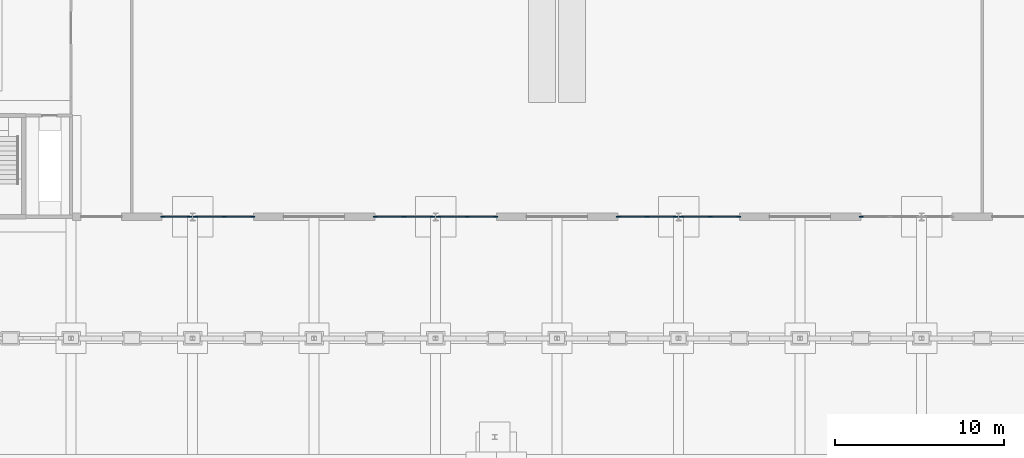
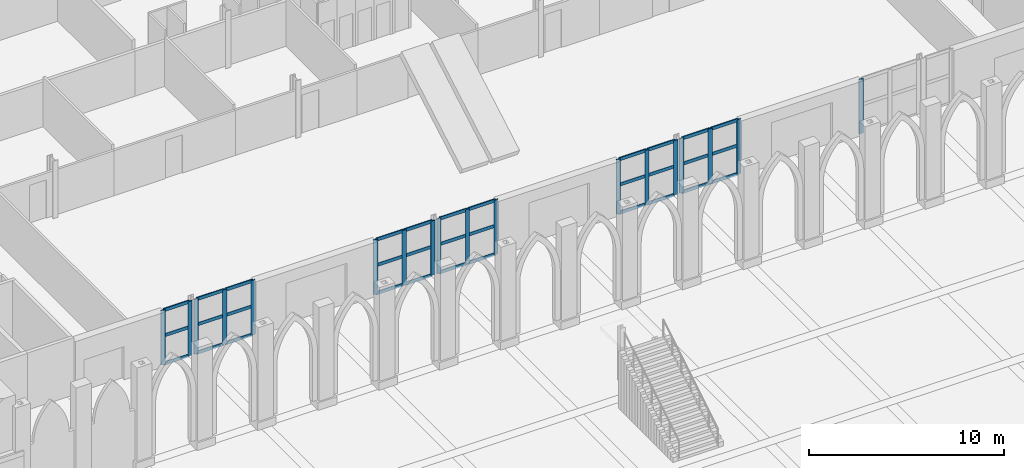
# One storey, part 70 of 148: 51 members, 7 elements without a shape of their own.
"""IFC4 building model written with IfcOpenShell, lengths in metres."""

from ifc_helpers import new_model, si_unit, direction, frame, origin, origin_2d, place, context, subcontext, project, spatial, rectangle, extrude, material, material_profile, profile_set, type_object, element, aggregate, save


model = new_model("IFC4")

# Units and contexts
model_context = context("Model", 3, precision=1e-05, world=origin(), true_north=direction((0.0, 1.0)))
body_context = subcontext(model_context, "Body", "Model", "MODEL_VIEW")
ifc_project = project(units=[si_unit("LENGTHUNIT", "METRE"), si_unit("AREAUNIT", "SQUARE_METRE"), si_unit("VOLUMEUNIT", "CUBIC_METRE"), si_unit("PLANEANGLEUNIT", "RADIAN"), si_unit("MASSUNIT", "GRAM", prefix="KILO")], contexts=[model_context])

# Site, building, storey
site_placement = place(None, origin())
site = spatial("IfcSite", under=ifc_project, at=site_placement, CompositionType="ELEMENT")
building_placement = place(site_placement, origin())
building = spatial("IfcBuilding", under=site, at=building_placement, Name="Kupolbacken Congress Centre", CompositionType="ELEMENT")
storey_placement = place(building_placement, origin())
storey = spatial("IfcBuildingStorey", under=building, at=storey_placement, Name="L00", CompositionType="ELEMENT", Elevation=0.0)

# Curtain wall, members
ifc_material_1 = material(Name="Aluminium mullion-transom frame with glass", Category="aluminium")
curtain_wall_type = type_object("IfcCurtainWallType", Name="CW2 curtain wall 3600x3600", PredefinedType="NOTDEFINED", material=ifc_material_1)
curtain_wall_1_placement = place(storey_placement, origin())
curtain_wall_1 = element("IfcCurtainWall", 1, at=curtain_wall_1_placement, inside=storey, type_object=curtain_wall_type, Name="E/F/S/L00/030", PredefinedType="NOTDEFINED")
ifc_material_2 = material(Name="Aluminium alloy", Category="aluminium")
ifc_material_profile_1 = material_profile(ifc_material_2, rectangle(XDim=0.06005859375, YDim=0.25, at=origin_2d()), Name="60 x 250")
ifc_profile_set_1 = profile_set([ifc_material_profile_1], Name="Aluminium alloy")
member_type_1 = type_object("IfcMemberType", Name="MU3 mullion 60x250", PredefinedType="MULLION", material=ifc_profile_set_1)
member_1_placement = place(storey_placement, frame((19.830078125, 28.800048828125, 0.0), z_axis=(0.0, 0.0, 1.0), x_axis=(0.0, 1.0, 0.0)))
member_1 = element("IfcMember", 2, at=member_1_placement, type_object=member_type_1, Name="CW2 mullion 1", PredefinedType="MULLION", context=body_context, shape_type="SweptSolid", body=[
    extrude(rectangle(XDim=0.06005859375, YDim=0.25, at=origin_2d()), origin(), (0.0, 0.0, 1.0), 3.419921875),
])
member_2_placement = place(storey_placement, frame((21.419921875, 28.800048828125, 0.0), z_axis=(0.0, 0.0, 1.0), x_axis=(0.0, 1.0, 0.0)))
member_2 = element("IfcMember", 3, at=member_2_placement, type_object=member_type_1, Name="CW2 mullion 2", PredefinedType="MULLION", context=body_context, shape_type="SweptSolid", body=[
    extrude(rectangle(XDim=0.06005859375, YDim=0.25, at=origin_2d()), origin(), (0.0, 0.0, 1.0), 3.419921875),
])

curtain_wall_2_placement = place(storey_placement, origin())
curtain_wall_2 = element("IfcCurtainWall", 4, at=curtain_wall_2_placement, inside=storey, type_object=curtain_wall_type, Name="E/F/S/L00/031", PredefinedType="NOTDEFINED")
member_3_placement = place(storey_placement, frame((21.780029296875, 28.800048828125, 0.0), z_axis=(0.0, 0.0, 1.0), x_axis=(0.0, 1.0, 0.0)))
member_3 = element("IfcMember", 5, at=member_3_placement, type_object=member_type_1, Name="CW2 mullion 1", PredefinedType="MULLION", context=body_context, shape_type="SweptSolid", body=[
    extrude(rectangle(XDim=0.06005859375, YDim=0.25, at=origin_2d()), origin(), (0.0, 0.0, 1.0), 3.419921875),
])
member_4_placement = place(storey_placement, frame((23.47509765625, 28.800048828125, 0.0), z_axis=(0.0, 0.0, 1.0), x_axis=(0.0, 1.0, 0.0)))
member_4 = element("IfcMember", 6, at=member_4_placement, type_object=member_type_1, Name="CW2 mullion 2", PredefinedType="MULLION", context=body_context, shape_type="SweptSolid", body=[
    extrude(rectangle(XDim=0.06005859375, YDim=0.25, at=origin_2d()), origin(), (0.0, 0.0, 1.0), 3.419921875),
])
member_5_placement = place(storey_placement, frame((25.169921875, 28.800048828125, 0.0), z_axis=(0.0, 0.0, 1.0), x_axis=(0.0, 1.0, 0.0)))
member_5 = element("IfcMember", 7, at=member_5_placement, type_object=member_type_1, Name="CW2 mullion 3", PredefinedType="MULLION", context=body_context, shape_type="SweptSolid", body=[
    extrude(rectangle(XDim=0.06005859375, YDim=0.25, at=origin_2d()), origin(), (0.0, 0.0, 1.0), 3.419921875),
])

curtain_wall_3_placement = place(storey_placement, origin())
curtain_wall_3 = element("IfcCurtainWall", 8, at=curtain_wall_3_placement, inside=storey, type_object=curtain_wall_type, Name="E/F/S/L00/033", PredefinedType="NOTDEFINED")
member_6_placement = place(storey_placement, frame((32.429931640625, 28.800048828125, 0.0), z_axis=(0.0, 0.0, 1.0), x_axis=(0.0, 1.0, 0.0)))
member_6 = element("IfcMember", 9, at=member_6_placement, type_object=member_type_1, Name="CW2 mullion 1", PredefinedType="MULLION", context=body_context, shape_type="SweptSolid", body=[
    extrude(rectangle(XDim=0.06005859375, YDim=0.25, at=origin_2d()), origin(), (0.0, 0.0, 1.0), 3.419921875),
])
member_7_placement = place(storey_placement, frame((34.125, 28.800048828125, 0.0), z_axis=(0.0, 0.0, 1.0), x_axis=(0.0, 1.0, 0.0)))
member_7 = element("IfcMember", 10, at=member_7_placement, type_object=member_type_1, Name="CW2 mullion 2", PredefinedType="MULLION", context=body_context, shape_type="SweptSolid", body=[
    extrude(rectangle(XDim=0.06005859375, YDim=0.25, at=origin_2d()), origin(), (0.0, 0.0, 1.0), 3.419921875),
])
member_8_placement = place(storey_placement, frame((35.820068359375, 28.800048828125, 0.0), z_axis=(0.0, 0.0, 1.0), x_axis=(0.0, 1.0, 0.0)))
member_8 = element("IfcMember", 11, at=member_8_placement, type_object=member_type_1, Name="CW2 mullion 3", PredefinedType="MULLION", context=body_context, shape_type="SweptSolid", body=[
    extrude(rectangle(XDim=0.06005859375, YDim=0.25, at=origin_2d()), origin(), (0.0, 0.0, 1.0), 3.419921875),
])

curtain_wall_4_placement = place(storey_placement, origin())
curtain_wall_4 = element("IfcCurtainWall", 12, at=curtain_wall_4_placement, inside=storey, type_object=curtain_wall_type, Name="E/F/S/L00/034", PredefinedType="NOTDEFINED")
member_9_placement = place(storey_placement, frame((36.179931640625, 28.800048828125, 0.0), z_axis=(0.0, 0.0, 1.0), x_axis=(0.0, 1.0, 0.0)))
member_9 = element("IfcMember", 13, at=member_9_placement, type_object=member_type_1, Name="CW2 mullion 1", PredefinedType="MULLION", context=body_context, shape_type="SweptSolid", body=[
    extrude(rectangle(XDim=0.06005859375, YDim=0.25, at=origin_2d()), origin(), (0.0, 0.0, 1.0), 3.419921875),
])
member_10_placement = place(storey_placement, frame((37.875, 28.800048828125, 0.0), z_axis=(0.0, 0.0, 1.0), x_axis=(0.0, 1.0, 0.0)))
member_10 = element("IfcMember", 14, at=member_10_placement, type_object=member_type_1, Name="CW2 mullion 2", PredefinedType="MULLION", context=body_context, shape_type="SweptSolid", body=[
    extrude(rectangle(XDim=0.06005859375, YDim=0.25, at=origin_2d()), origin(), (0.0, 0.0, 1.0), 3.419921875),
])
member_11_placement = place(storey_placement, frame((39.570068359375, 28.800048828125, 0.0), z_axis=(0.0, 0.0, 1.0), x_axis=(0.0, 1.0, 0.0)))
member_11 = element("IfcMember", 15, at=member_11_placement, type_object=member_type_1, Name="CW2 mullion 3", PredefinedType="MULLION", context=body_context, shape_type="SweptSolid", body=[
    extrude(rectangle(XDim=0.06005859375, YDim=0.25, at=origin_2d()), origin(), (0.0, 0.0, 1.0), 3.419921875),
])

curtain_wall_5_placement = place(storey_placement, origin())
curtain_wall_5 = element("IfcCurtainWall", 16, at=curtain_wall_5_placement, inside=storey, type_object=curtain_wall_type, Name="E/F/S/L00/036", PredefinedType="NOTDEFINED")
member_12_placement = place(storey_placement, frame((46.830078125, 28.800048828125, 0.0), z_axis=(0.0, 0.0, 1.0), x_axis=(0.0, 1.0, 0.0)))
member_12 = element("IfcMember", 17, at=member_12_placement, type_object=member_type_1, Name="CW2 mullion 1", PredefinedType="MULLION", context=body_context, shape_type="SweptSolid", body=[
    extrude(rectangle(XDim=0.06005859375, YDim=0.25, at=origin_2d()), origin(), (0.0, 0.0, 1.0), 3.419921875),
])
member_13_placement = place(storey_placement, frame((48.52490234375, 28.800048828125, 0.0), z_axis=(0.0, 0.0, 1.0), x_axis=(0.0, 1.0, 0.0)))
member_13 = element("IfcMember", 18, at=member_13_placement, type_object=member_type_1, Name="CW2 mullion 2", PredefinedType="MULLION", context=body_context, shape_type="SweptSolid", body=[
    extrude(rectangle(XDim=0.06005859375, YDim=0.25, at=origin_2d()), origin(), (0.0, 0.0, 1.0), 3.419921875),
])
member_14_placement = place(storey_placement, frame((50.219970703125, 28.800048828125, 0.0), z_axis=(0.0, 0.0, 1.0), x_axis=(0.0, 1.0, 0.0)))
member_14 = element("IfcMember", 19, at=member_14_placement, type_object=member_type_1, Name="CW2 mullion 3", PredefinedType="MULLION", context=body_context, shape_type="SweptSolid", body=[
    extrude(rectangle(XDim=0.06005859375, YDim=0.25, at=origin_2d()), origin(), (0.0, 0.0, 1.0), 3.419921875),
])

curtain_wall_6_placement = place(storey_placement, origin())
curtain_wall_6 = element("IfcCurtainWall", 20, at=curtain_wall_6_placement, inside=storey, type_object=curtain_wall_type, Name="E/F/S/L00/037", PredefinedType="NOTDEFINED")
member_15_placement = place(storey_placement, frame((50.580078125, 28.800048828125, 0.0), z_axis=(0.0, 0.0, 1.0), x_axis=(0.0, 1.0, 0.0)))
member_15 = element("IfcMember", 21, at=member_15_placement, type_object=member_type_1, Name="CW2 mullion 1", PredefinedType="MULLION", context=body_context, shape_type="SweptSolid", body=[
    extrude(rectangle(XDim=0.06005859375, YDim=0.25, at=origin_2d()), origin(), (0.0, 0.0, 1.0), 3.419921875),
])
member_16_placement = place(storey_placement, frame((52.27490234375, 28.800048828125, 0.0), z_axis=(0.0, 0.0, 1.0), x_axis=(0.0, 1.0, 0.0)))
member_16 = element("IfcMember", 22, at=member_16_placement, type_object=member_type_1, Name="CW2 mullion 2", PredefinedType="MULLION", context=body_context, shape_type="SweptSolid", body=[
    extrude(rectangle(XDim=0.06005859375, YDim=0.25, at=origin_2d()), origin(), (0.0, 0.0, 1.0), 3.419921875),
])
member_17_placement = place(storey_placement, frame((53.969970703125, 28.800048828125, 0.0), z_axis=(0.0, 0.0, 1.0), x_axis=(0.0, 1.0, 0.0)))
member_17 = element("IfcMember", 23, at=member_17_placement, type_object=member_type_1, Name="CW2 mullion 3", PredefinedType="MULLION", context=body_context, shape_type="SweptSolid", body=[
    extrude(rectangle(XDim=0.06005859375, YDim=0.25, at=origin_2d()), origin(), (0.0, 0.0, 1.0), 3.419921875),
])

# Curtain wall, member
curtain_wall_7_placement = place(storey_placement, origin())
curtain_wall_7 = element("IfcCurtainWall", 24, at=curtain_wall_7_placement, inside=storey, type_object=curtain_wall_type, Name="E/F/S/L00/039", PredefinedType="NOTDEFINED")
member_18_placement = place(storey_placement, frame((61.22998046875, 28.800048828125, 0.0), z_axis=(0.0, 0.0, 1.0), x_axis=(0.0, 1.0, 0.0)))
member_18 = element("IfcMember", 25, at=member_18_placement, type_object=member_type_1, Name="CW2 mullion 1", PredefinedType="MULLION", context=body_context, shape_type="SweptSolid", body=[
    extrude(rectangle(XDim=0.06005859375, YDim=0.25, at=origin_2d()), origin(), (0.0, 0.0, 1.0), 3.419921875),
])
aggregate(curtain_wall_7, [member_18])

# Member
ifc_material_3 = material(Name="Aluminium alloy", Category="aluminium")
ifc_material_profile_2 = material_profile(ifc_material_3, rectangle(XDim=0.06005859375, YDim=0.199951171875, at=origin_2d()), Name="60 x 200")
ifc_profile_set_2 = profile_set([ifc_material_profile_2], Name="Aluminium alloy")
member_type_2 = type_object("IfcMemberType", Name="TR3 transom 60x200", PredefinedType="MULLION", material=ifc_profile_set_2)
member_19_placement = place(storey_placement, frame((19.860107421875, 28.800048828125, 0.030029296875), z_axis=(1.0, 0.0, 0.0), x_axis=(0.0, 1.0, 0.0)))
member_19 = element("IfcMember", 26, at=member_19_placement, type_object=member_type_2, Name="CW2 transom 1.1", PredefinedType="MULLION", context=body_context, shape_type="SweptSolid", body=[
    extrude(rectangle(XDim=0.06005859375, YDim=0.199951171875, at=origin_2d()), origin(), (0.0, 0.0, 1.0), 1.52978515625),
])

member_20_placement = place(storey_placement, frame((19.860107421875, 28.800048828125, 1.800048828125), z_axis=(1.0, 0.0, 0.0), x_axis=(0.0, 1.0, 0.0)))
member_20 = element("IfcMember", 27, at=member_20_placement, type_object=member_type_2, Name="CW2 transom 1.2", PredefinedType="MULLION", context=body_context, shape_type="SweptSolid", body=[
    extrude(rectangle(XDim=0.06005859375, YDim=0.199951171875, at=origin_2d()), origin(), (0.0, 0.0, 1.0), 1.52978515625),
])

member_21_placement = place(storey_placement, frame((19.860107421875, 28.800048828125, 3.389892578125), z_axis=(1.0, 0.0, 0.0), x_axis=(0.0, 1.0, 0.0)))
member_21 = element("IfcMember", 28, at=member_21_placement, type_object=member_type_2, Name="CW2 transom 1.3", PredefinedType="MULLION", context=body_context, shape_type="SweptSolid", body=[
    extrude(rectangle(XDim=0.06005859375, YDim=0.199951171875, at=origin_2d()), origin(), (0.0, 0.0, 1.0), 1.52978515625),
])

aggregate(curtain_wall_1, [member_1, member_2, member_19, member_20, member_21])

member_22_placement = place(storey_placement, frame((21.81005859375, 28.800048828125, 0.030029296875), z_axis=(1.0, 0.0, 0.0), x_axis=(0.0, 1.0, 0.0)))
member_22 = element("IfcMember", 29, at=member_22_placement, type_object=member_type_2, Name="CW2 transom 1.1", PredefinedType="MULLION", context=body_context, shape_type="SweptSolid", body=[
    extrude(rectangle(XDim=0.06005859375, YDim=0.199951171875, at=origin_2d()), origin(), (0.0, 0.0, 1.0), 1.635009765625),
])

member_23_placement = place(storey_placement, frame((21.81005859375, 28.800048828125, 1.800048828125), z_axis=(1.0, 0.0, 0.0), x_axis=(0.0, 1.0, 0.0)))
member_23 = element("IfcMember", 30, at=member_23_placement, type_object=member_type_2, Name="CW2 transom 1.2", PredefinedType="MULLION", context=body_context, shape_type="SweptSolid", body=[
    extrude(rectangle(XDim=0.06005859375, YDim=0.199951171875, at=origin_2d()), origin(), (0.0, 0.0, 1.0), 1.635009765625),
])

member_24_placement = place(storey_placement, frame((21.81005859375, 28.800048828125, 3.389892578125), z_axis=(1.0, 0.0, 0.0), x_axis=(0.0, 1.0, 0.0)))
member_24 = element("IfcMember", 31, at=member_24_placement, type_object=member_type_2, Name="CW2 transom 1.3", PredefinedType="MULLION", context=body_context, shape_type="SweptSolid", body=[
    extrude(rectangle(XDim=0.06005859375, YDim=0.199951171875, at=origin_2d()), origin(), (0.0, 0.0, 1.0), 1.635009765625),
])

member_25_placement = place(storey_placement, frame((23.5048828125, 28.800048828125, 0.030029296875), z_axis=(1.0, 0.0, 0.0), x_axis=(0.0, 1.0, 0.0)))
member_25 = element("IfcMember", 32, at=member_25_placement, type_object=member_type_2, Name="CW2 transom 2.1", PredefinedType="MULLION", context=body_context, shape_type="SweptSolid", body=[
    extrude(rectangle(XDim=0.06005859375, YDim=0.199951171875, at=origin_2d()), origin(), (0.0, 0.0, 1.0), 1.635009765625),
])

member_26_placement = place(storey_placement, frame((23.5048828125, 28.800048828125, 1.800048828125), z_axis=(1.0, 0.0, 0.0), x_axis=(0.0, 1.0, 0.0)))
member_26 = element("IfcMember", 33, at=member_26_placement, type_object=member_type_2, Name="CW2 transom 2.2", PredefinedType="MULLION", context=body_context, shape_type="SweptSolid", body=[
    extrude(rectangle(XDim=0.06005859375, YDim=0.199951171875, at=origin_2d()), origin(), (0.0, 0.0, 1.0), 1.635009765625),
])

member_27_placement = place(storey_placement, frame((23.5048828125, 28.800048828125, 3.389892578125), z_axis=(1.0, 0.0, 0.0), x_axis=(0.0, 1.0, 0.0)))
member_27 = element("IfcMember", 34, at=member_27_placement, type_object=member_type_2, Name="CW2 transom 2.3", PredefinedType="MULLION", context=body_context, shape_type="SweptSolid", body=[
    extrude(rectangle(XDim=0.06005859375, YDim=0.199951171875, at=origin_2d()), origin(), (0.0, 0.0, 1.0), 1.635009765625),
])

aggregate(curtain_wall_2, [member_3, member_4, member_5, member_22, member_23, member_24, member_25, member_26, member_27])

member_28_placement = place(storey_placement, frame((32.4599609375, 28.800048828125, 0.030029296875), z_axis=(1.0, 0.0, 0.0), x_axis=(0.0, 1.0, 0.0)))
member_28 = element("IfcMember", 35, at=member_28_placement, type_object=member_type_2, Name="CW2 transom 1.1", PredefinedType="MULLION", context=body_context, shape_type="SweptSolid", body=[
    extrude(rectangle(XDim=0.06005859375, YDim=0.199951171875, at=origin_2d()), origin(), (0.0, 0.0, 1.0), 1.635009765625),
])

member_29_placement = place(storey_placement, frame((32.4599609375, 28.800048828125, 1.800048828125), z_axis=(1.0, 0.0, 0.0), x_axis=(0.0, 1.0, 0.0)))
member_29 = element("IfcMember", 36, at=member_29_placement, type_object=member_type_2, Name="CW2 transom 1.2", PredefinedType="MULLION", context=body_context, shape_type="SweptSolid", body=[
    extrude(rectangle(XDim=0.06005859375, YDim=0.199951171875, at=origin_2d()), origin(), (0.0, 0.0, 1.0), 1.635009765625),
])

member_30_placement = place(storey_placement, frame((32.4599609375, 28.800048828125, 3.389892578125), z_axis=(1.0, 0.0, 0.0), x_axis=(0.0, 1.0, 0.0)))
member_30 = element("IfcMember", 37, at=member_30_placement, type_object=member_type_2, Name="CW2 transom 1.3", PredefinedType="MULLION", context=body_context, shape_type="SweptSolid", body=[
    extrude(rectangle(XDim=0.06005859375, YDim=0.199951171875, at=origin_2d()), origin(), (0.0, 0.0, 1.0), 1.635009765625),
])

member_31_placement = place(storey_placement, frame((34.155029296875, 28.800048828125, 0.030029296875), z_axis=(1.0, 0.0, 0.0), x_axis=(0.0, 1.0, 0.0)))
member_31 = element("IfcMember", 38, at=member_31_placement, type_object=member_type_2, Name="CW2 transom 2.1", PredefinedType="MULLION", context=body_context, shape_type="SweptSolid", body=[
    extrude(rectangle(XDim=0.06005859375, YDim=0.199951171875, at=origin_2d()), origin(), (0.0, 0.0, 1.0), 1.635009765625),
])

member_32_placement = place(storey_placement, frame((34.155029296875, 28.800048828125, 1.800048828125), z_axis=(1.0, 0.0, 0.0), x_axis=(0.0, 1.0, 0.0)))
member_32 = element("IfcMember", 39, at=member_32_placement, type_object=member_type_2, Name="CW2 transom 2.2", PredefinedType="MULLION", context=body_context, shape_type="SweptSolid", body=[
    extrude(rectangle(XDim=0.06005859375, YDim=0.199951171875, at=origin_2d()), origin(), (0.0, 0.0, 1.0), 1.635009765625),
])

member_33_placement = place(storey_placement, frame((34.155029296875, 28.800048828125, 3.389892578125), z_axis=(1.0, 0.0, 0.0), x_axis=(0.0, 1.0, 0.0)))
member_33 = element("IfcMember", 40, at=member_33_placement, type_object=member_type_2, Name="CW2 transom 2.3", PredefinedType="MULLION", context=body_context, shape_type="SweptSolid", body=[
    extrude(rectangle(XDim=0.06005859375, YDim=0.199951171875, at=origin_2d()), origin(), (0.0, 0.0, 1.0), 1.635009765625),
])

aggregate(curtain_wall_3, [member_6, member_7, member_8, member_28, member_29, member_30, member_31, member_32, member_33])

member_34_placement = place(storey_placement, frame((36.2099609375, 28.800048828125, 0.030029296875), z_axis=(1.0, 0.0, 0.0), x_axis=(0.0, 1.0, 0.0)))
member_34 = element("IfcMember", 41, at=member_34_placement, type_object=member_type_2, Name="CW2 transom 1.1", PredefinedType="MULLION", context=body_context, shape_type="SweptSolid", body=[
    extrude(rectangle(XDim=0.06005859375, YDim=0.199951171875, at=origin_2d()), origin(), (0.0, 0.0, 1.0), 1.635009765625),
])

member_35_placement = place(storey_placement, frame((36.2099609375, 28.800048828125, 1.800048828125), z_axis=(1.0, 0.0, 0.0), x_axis=(0.0, 1.0, 0.0)))
member_35 = element("IfcMember", 42, at=member_35_placement, type_object=member_type_2, Name="CW2 transom 1.2", PredefinedType="MULLION", context=body_context, shape_type="SweptSolid", body=[
    extrude(rectangle(XDim=0.06005859375, YDim=0.199951171875, at=origin_2d()), origin(), (0.0, 0.0, 1.0), 1.635009765625),
])

member_36_placement = place(storey_placement, frame((36.2099609375, 28.800048828125, 3.389892578125), z_axis=(1.0, 0.0, 0.0), x_axis=(0.0, 1.0, 0.0)))
member_36 = element("IfcMember", 43, at=member_36_placement, type_object=member_type_2, Name="CW2 transom 1.3", PredefinedType="MULLION", context=body_context, shape_type="SweptSolid", body=[
    extrude(rectangle(XDim=0.06005859375, YDim=0.199951171875, at=origin_2d()), origin(), (0.0, 0.0, 1.0), 1.635009765625),
])

member_37_placement = place(storey_placement, frame((37.905029296875, 28.800048828125, 0.030029296875), z_axis=(1.0, 0.0, 0.0), x_axis=(0.0, 1.0, 0.0)))
member_37 = element("IfcMember", 44, at=member_37_placement, type_object=member_type_2, Name="CW2 transom 2.1", PredefinedType="MULLION", context=body_context, shape_type="SweptSolid", body=[
    extrude(rectangle(XDim=0.06005859375, YDim=0.199951171875, at=origin_2d()), origin(), (0.0, 0.0, 1.0), 1.635009765625),
])

member_38_placement = place(storey_placement, frame((37.905029296875, 28.800048828125, 1.800048828125), z_axis=(1.0, 0.0, 0.0), x_axis=(0.0, 1.0, 0.0)))
member_38 = element("IfcMember", 45, at=member_38_placement, type_object=member_type_2, Name="CW2 transom 2.2", PredefinedType="MULLION", context=body_context, shape_type="SweptSolid", body=[
    extrude(rectangle(XDim=0.06005859375, YDim=0.199951171875, at=origin_2d()), origin(), (0.0, 0.0, 1.0), 1.635009765625),
])

member_39_placement = place(storey_placement, frame((37.905029296875, 28.800048828125, 3.389892578125), z_axis=(1.0, 0.0, 0.0), x_axis=(0.0, 1.0, 0.0)))
member_39 = element("IfcMember", 46, at=member_39_placement, type_object=member_type_2, Name="CW2 transom 2.3", PredefinedType="MULLION", context=body_context, shape_type="SweptSolid", body=[
    extrude(rectangle(XDim=0.06005859375, YDim=0.199951171875, at=origin_2d()), origin(), (0.0, 0.0, 1.0), 1.635009765625),
])

aggregate(curtain_wall_4, [member_9, member_10, member_11, member_34, member_35, member_36, member_37, member_38, member_39])

member_40_placement = place(storey_placement, frame((46.860107421875, 28.800048828125, 0.030029296875), z_axis=(1.0, 0.0, 0.0), x_axis=(0.0, 1.0, 0.0)))
member_40 = element("IfcMember", 47, at=member_40_placement, type_object=member_type_2, Name="CW2 transom 1.1", PredefinedType="MULLION", context=body_context, shape_type="SweptSolid", body=[
    extrude(rectangle(XDim=0.06005859375, YDim=0.199951171875, at=origin_2d()), origin(), (0.0, 0.0, 1.0), 1.635009765625),
])

member_41_placement = place(storey_placement, frame((46.860107421875, 28.800048828125, 1.800048828125), z_axis=(1.0, 0.0, 0.0), x_axis=(0.0, 1.0, 0.0)))
member_41 = element("IfcMember", 48, at=member_41_placement, type_object=member_type_2, Name="CW2 transom 1.2", PredefinedType="MULLION", context=body_context, shape_type="SweptSolid", body=[
    extrude(rectangle(XDim=0.06005859375, YDim=0.199951171875, at=origin_2d()), origin(), (0.0, 0.0, 1.0), 1.635009765625),
])

member_42_placement = place(storey_placement, frame((46.860107421875, 28.800048828125, 3.389892578125), z_axis=(1.0, 0.0, 0.0), x_axis=(0.0, 1.0, 0.0)))
member_42 = element("IfcMember", 49, at=member_42_placement, type_object=member_type_2, Name="CW2 transom 1.3", PredefinedType="MULLION", context=body_context, shape_type="SweptSolid", body=[
    extrude(rectangle(XDim=0.06005859375, YDim=0.199951171875, at=origin_2d()), origin(), (0.0, 0.0, 1.0), 1.635009765625),
])

member_43_placement = place(storey_placement, frame((48.554931640625, 28.800048828125, 0.030029296875), z_axis=(1.0, 0.0, 0.0), x_axis=(0.0, 1.0, 0.0)))
member_43 = element("IfcMember", 50, at=member_43_placement, type_object=member_type_2, Name="CW2 transom 2.1", PredefinedType="MULLION", context=body_context, shape_type="SweptSolid", body=[
    extrude(rectangle(XDim=0.06005859375, YDim=0.199951171875, at=origin_2d()), origin(), (0.0, 0.0, 1.0), 1.635009765625),
])

member_44_placement = place(storey_placement, frame((48.554931640625, 28.800048828125, 1.800048828125), z_axis=(1.0, 0.0, 0.0), x_axis=(0.0, 1.0, 0.0)))
member_44 = element("IfcMember", 51, at=member_44_placement, type_object=member_type_2, Name="CW2 transom 2.2", PredefinedType="MULLION", context=body_context, shape_type="SweptSolid", body=[
    extrude(rectangle(XDim=0.06005859375, YDim=0.199951171875, at=origin_2d()), origin(), (0.0, 0.0, 1.0), 1.635009765625),
])

member_45_placement = place(storey_placement, frame((48.554931640625, 28.800048828125, 3.389892578125), z_axis=(1.0, 0.0, 0.0), x_axis=(0.0, 1.0, 0.0)))
member_45 = element("IfcMember", 52, at=member_45_placement, type_object=member_type_2, Name="CW2 transom 2.3", PredefinedType="MULLION", context=body_context, shape_type="SweptSolid", body=[
    extrude(rectangle(XDim=0.06005859375, YDim=0.199951171875, at=origin_2d()), origin(), (0.0, 0.0, 1.0), 1.635009765625),
])

aggregate(curtain_wall_5, [member_12, member_13, member_14, member_40, member_41, member_42, member_43, member_44, member_45])

member_46_placement = place(storey_placement, frame((50.610107421875, 28.800048828125, 0.030029296875), z_axis=(1.0, 0.0, 0.0), x_axis=(0.0, 1.0, 0.0)))
member_46 = element("IfcMember", 53, at=member_46_placement, type_object=member_type_2, Name="CW2 transom 1.1", PredefinedType="MULLION", context=body_context, shape_type="SweptSolid", body=[
    extrude(rectangle(XDim=0.06005859375, YDim=0.199951171875, at=origin_2d()), origin(), (0.0, 0.0, 1.0), 1.635009765625),
])

member_47_placement = place(storey_placement, frame((50.610107421875, 28.800048828125, 1.800048828125), z_axis=(1.0, 0.0, 0.0), x_axis=(0.0, 1.0, 0.0)))
member_47 = element("IfcMember", 54, at=member_47_placement, type_object=member_type_2, Name="CW2 transom 1.2", PredefinedType="MULLION", context=body_context, shape_type="SweptSolid", body=[
    extrude(rectangle(XDim=0.06005859375, YDim=0.199951171875, at=origin_2d()), origin(), (0.0, 0.0, 1.0), 1.635009765625),
])

member_48_placement = place(storey_placement, frame((50.610107421875, 28.800048828125, 3.389892578125), z_axis=(1.0, 0.0, 0.0), x_axis=(0.0, 1.0, 0.0)))
member_48 = element("IfcMember", 55, at=member_48_placement, type_object=member_type_2, Name="CW2 transom 1.3", PredefinedType="MULLION", context=body_context, shape_type="SweptSolid", body=[
    extrude(rectangle(XDim=0.06005859375, YDim=0.199951171875, at=origin_2d()), origin(), (0.0, 0.0, 1.0), 1.635009765625),
])

member_49_placement = place(storey_placement, frame((52.304931640625, 28.800048828125, 0.030029296875), z_axis=(1.0, 0.0, 0.0), x_axis=(0.0, 1.0, 0.0)))
member_49 = element("IfcMember", 56, at=member_49_placement, type_object=member_type_2, Name="CW2 transom 2.1", PredefinedType="MULLION", context=body_context, shape_type="SweptSolid", body=[
    extrude(rectangle(XDim=0.06005859375, YDim=0.199951171875, at=origin_2d()), origin(), (0.0, 0.0, 1.0), 1.635009765625),
])

member_50_placement = place(storey_placement, frame((52.304931640625, 28.800048828125, 1.800048828125), z_axis=(1.0, 0.0, 0.0), x_axis=(0.0, 1.0, 0.0)))
member_50 = element("IfcMember", 57, at=member_50_placement, type_object=member_type_2, Name="CW2 transom 2.2", PredefinedType="MULLION", context=body_context, shape_type="SweptSolid", body=[
    extrude(rectangle(XDim=0.06005859375, YDim=0.199951171875, at=origin_2d()), origin(), (0.0, 0.0, 1.0), 1.635009765625),
])

member_51_placement = place(storey_placement, frame((52.304931640625, 28.800048828125, 3.389892578125), z_axis=(1.0, 0.0, 0.0), x_axis=(0.0, 1.0, 0.0)))
member_51 = element("IfcMember", 58, at=member_51_placement, type_object=member_type_2, Name="CW2 transom 2.3", PredefinedType="MULLION", context=body_context, shape_type="SweptSolid", body=[
    extrude(rectangle(XDim=0.06005859375, YDim=0.199951171875, at=origin_2d()), origin(), (0.0, 0.0, 1.0), 1.635009765625),
])

aggregate(curtain_wall_6, [member_15, member_16, member_17, member_46, member_47, member_48, member_49, member_50, member_51])

save(model, "model.ifc")
